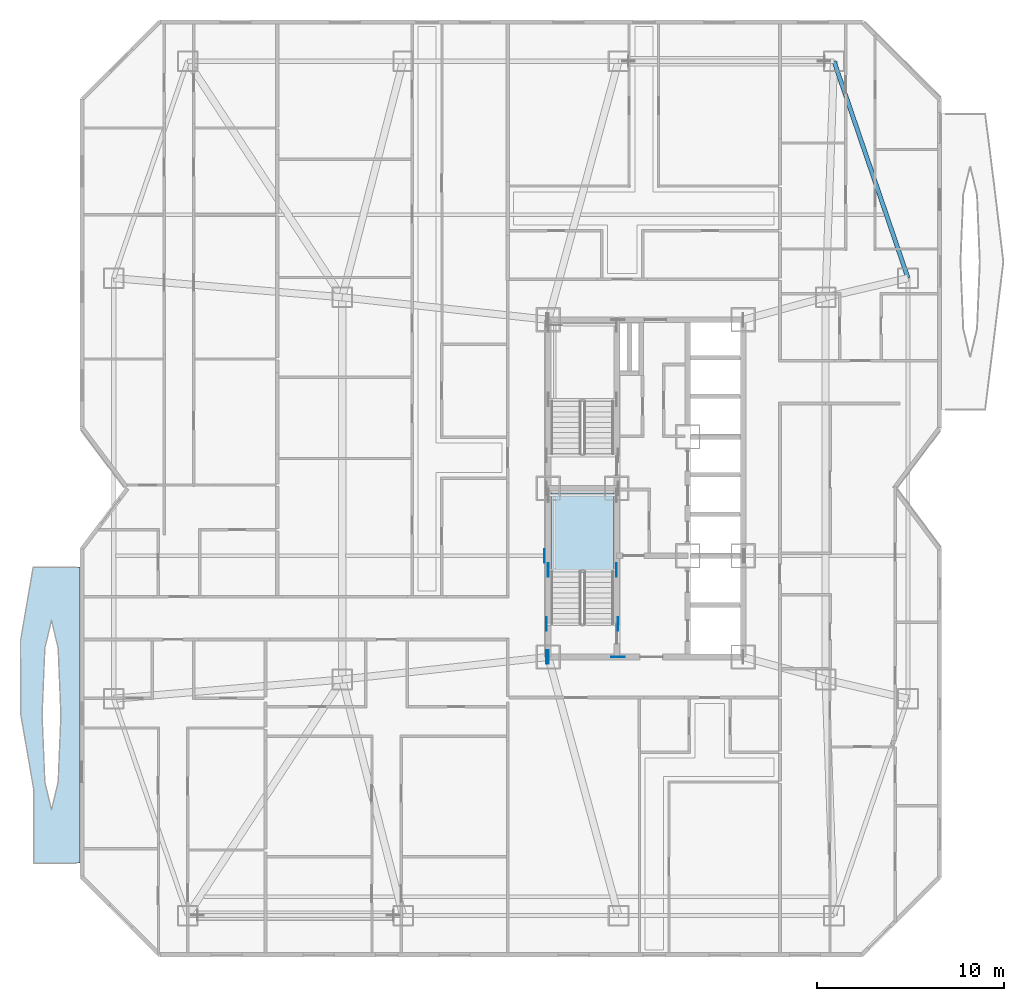
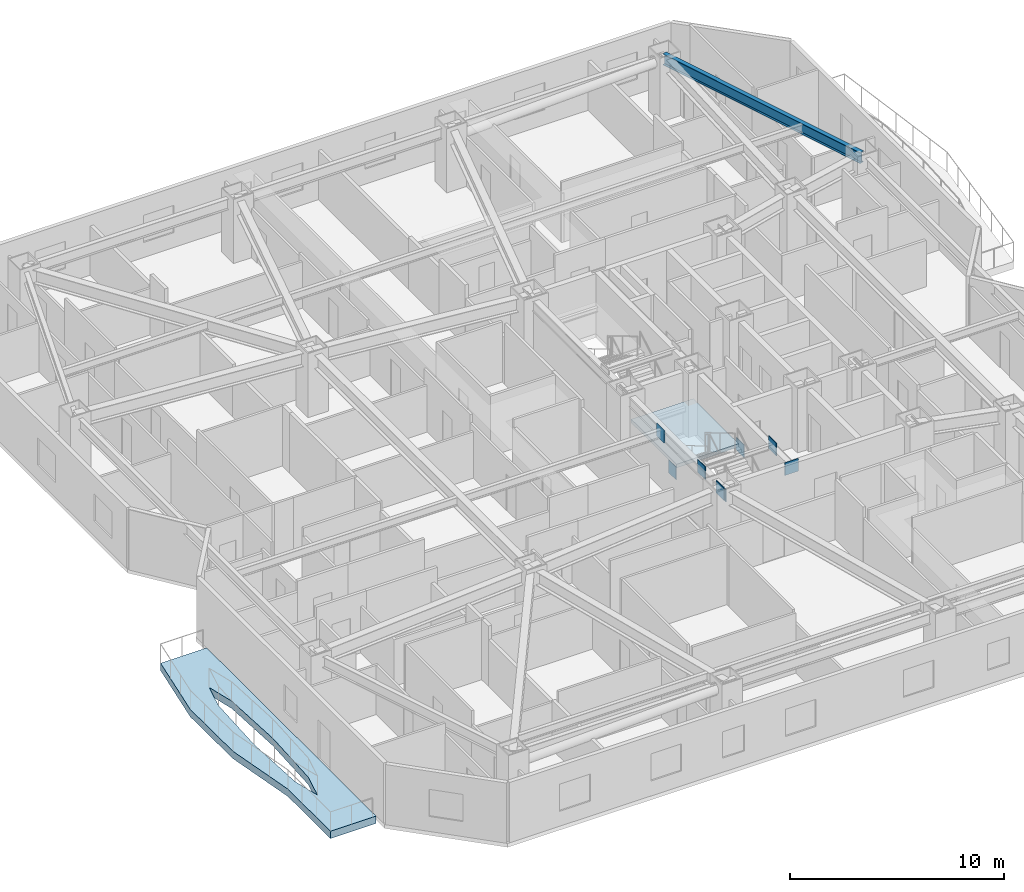
# One storey, part 2 of 17: 8 plates, 2 slabs, 1 beam, 1 element without a shape of its own.
"""IFC4 building model written with IfcOpenShell, lengths in metres."""

from ifc_helpers import new_model, si_unit, direction, frame, origin, origin_2d, place, context, subcontext, project, spatial, polyline, rectangle, i_section, outline, extrude, material, layer, layer_set, material_profile, profile_set, type_object, element, aggregate, save


model = new_model("IFC4")

# Units and contexts
model_context = context("Model", 3, precision=1e-05, world=origin(), true_north=direction((0.0, 1.0)))
body_context = subcontext(model_context, "Body", "Model", "MODEL_VIEW")
ifc_project = project(units=[si_unit("LENGTHUNIT", "METRE"), si_unit("AREAUNIT", "SQUARE_METRE"), si_unit("VOLUMEUNIT", "CUBIC_METRE"), si_unit("PLANEANGLEUNIT", "RADIAN"), si_unit("MASSUNIT", "GRAM", prefix="KILO")], contexts=[model_context])

# Site, building, storey
site_placement = place(None, origin())
site = spatial("IfcSite", under=ifc_project, at=site_placement, CompositionType="ELEMENT")
building_placement = place(site_placement, origin())
building = spatial("IfcBuilding", under=site, at=building_placement, Name="Khamvora Tower", CompositionType="ELEMENT")
storey_placement = place(building_placement, frame((0.0, 0.0, 44.25)))
storey = spatial("IfcBuildingStorey", under=building, at=storey_placement, Name="L10", CompositionType="ELEMENT", Elevation=44.25)

# Beam
ifc_material_1 = material(Name="Steel S355", Category="steel")
ifc_material_profile = material_profile(ifc_material_1, i_section(OverallWidth=0.22998046875, OverallDepth=0.616943359375, WebThickness=0.012939453125, FlangeThickness=0.02197265625, FilletRadius=0.013916015625, at=origin_2d()), Name="W610x140")
ifc_profile_set = profile_set([ifc_material_profile], Name="Steel S355")
beam_type = type_object("IfcBeamType", Name="BM-SP-W610x140", PredefinedType="SPANDREL", material=ifc_profile_set)
beam_placement = place(storey_placement, frame((48.199951171875, 39.22509765625, 3.12109375), z_axis=(-0.322962893199, 0.946411628002, 0.0), x_axis=(-0.946411628002, -0.322962893199, 0.0)))
element("IfcBeam", 1, at=beam_placement, inside=storey, type_object=beam_type, Name="L10 perimeter spandrel beam E2-N4", PredefinedType="SPANDREL", context=body_context, shape_type="SweptSolid", body=[
    extrude(i_section(OverallWidth=0.22998046875, OverallDepth=0.616943359375, WebThickness=0.012939453125, FlangeThickness=0.02197265625, FilletRadius=0.013916015625, at=origin_2d()), origin(), (0.0, 0.0, 1.0), 12.23046875),
])

# Plates
ifc_material_2 = material(Name="Steel S460", Category="steel")
ifc_layer_1 = layer(ifc_material_2, 0.034912109375)
ifc_layer_set_1 = layer_set([ifc_layer_1], Name="Steel S460")
plate_type = type_object("IfcPlateType", Name="PL-EMB-35", PredefinedType="SHEET", material=ifc_layer_set_1)
for number, where, z_axis, x_axis, name in (
    (2, (29.0, 23.635009765625, 1.1337890625), (0.0, 0.0, 1.0), (1.0, 0.0, 0.0), "L10 core shear wall cast-in embed plate 0310"),
    (3, (32.64990234375, 23.635009765625, 1.1337890625), (0.0, 0.0, 1.0), (1.0, 0.0, 0.0), "L10 core shear wall cast-in embed plate 0311"),
    (4, (29.0, 19.0, 2.68408203125), (0.0, 0.0, 1.0), (1.0, 0.0, 0.0), "L10 core shear wall cast-in embed plate 0319"),
    (5, (28.89990234375, 19.0, 2.80322265625), (0.0, 0.0, 1.0), (1.0, 0.0, 0.0), "L10 core shear wall cast-in embed plate 0323"),
):
    element("IfcPlate", number, at=place(storey_placement, frame(where, z_axis=z_axis, x_axis=x_axis)), inside=storey, type_object=plate_type, Name=name, PredefinedType="SHEET", context=body_context, shape_type="SweptSolid", body=[
        extrude(rectangle(XDim=0.034912109375, YDim=0.719970703125, at=origin_2d()), origin(), (0.0, 0.0, 1.0), 0.719970703125),
    ])
plate_placement = place(storey_placement, frame((32.72998046875, 19.0, 2.80322265625), z_axis=(0.0, 0.0, 1.0), x_axis=(1.0, 0.0, 0.0)))
element("IfcPlate", 6, at=plate_placement, inside=storey, type_object=plate_type, Name="L10 core shear wall cast-in embed plate 0326", PredefinedType="SHEET", context=body_context, shape_type="SweptSolid", body=[
    extrude(rectangle(XDim=0.719970703125, YDim=0.034912109375, at=origin_2d()), origin(), (0.0, 0.0, 1.0), 0.719970703125),
])
for number, where, z_axis, x_axis, name in (
    (7, (28.89990234375, 20.75, 2.94384765625), (0.0, 0.0, 1.0), (1.0, 0.0, 0.0), "L10 core shear wall cast-in embed plate 0332"),
    (8, (32.72998046875, 20.75, 2.94384765625), (0.0, 0.0, 1.0), (1.0, 0.0, 0.0), "L10 core shear wall cast-in embed plate 0333"),
    (9, (28.800048828125, 24.39990234375, 2.8388671875), (0.0, 0.0, 1.0), (1.0, 0.0, 0.0), "L10 core shear wall cast-in embed plate 0336"),
):
    element("IfcPlate", number, at=place(storey_placement, frame(where, z_axis=z_axis, x_axis=x_axis)), inside=storey, type_object=plate_type, Name=name, PredefinedType="SHEET", context=body_context, shape_type="SweptSolid", body=[
        extrude(rectangle(XDim=0.034912109375, YDim=0.719970703125, at=origin_2d()), origin(), (0.0, 0.0, 1.0), 0.719970703125),
    ])

# Slab
ifc_material_3 = material(Name="Concrete C40/50", Category="concrete")
ifc_layer_2 = layer(ifc_material_3, 0.419921875)
ifc_layer_set_2 = layer_set([ifc_layer_2], Name="Concrete C40/50")
slab_type_1 = type_object("IfcSlabType", Name="SLB-GRD-420", PredefinedType="FLOOR", material=ifc_layer_set_2)
slab_1_placement = place(storey_placement, frame((0.0, 0.0, -0.419921875)))
element("IfcSlab", 10, at=slab_1_placement, inside=storey, type_object=slab_type_1, Name="L10 external lens gallery slab WL1", PredefinedType="FLOOR", context=body_context, shape_type="SweptSolid", body=[
    extrude(outline(polyline([(4.0, 8.0), (4.0, 23.800048828125), (1.509033203125, 23.800048828125), (0.827880859375, 19.85009765625), (0.85107421875, 15.89990234375), (1.533935546875, 11.949951171875), (1.537109375, 8.0), (4.0, 8.0)]), holes=[polyline([(2.989013671875, 15.89990234375), (2.841064453125, 19.47509765625), (2.485107421875, 20.9560546875), (2.12890625, 19.47509765625), (1.98095703125, 15.89990234375), (2.12890625, 12.324951171875), (2.485107421875, 10.843994140625), (2.841064453125, 12.324951171875), (2.989013671875, 15.89990234375)])]), origin(), (0.0, 0.0, 1.0), 0.419921875),
])

# Stair, slab
stair_type = type_object("IfcStairType", Name="STR-ST-01", PredefinedType="HALF_TURN_STAIR", material=ifc_material_3)
stair_placement = place(storey_placement, origin())
stair = element("IfcStair", 11, at=stair_placement, inside=storey, type_object=stair_type, Name="L10 South Tower Exit Stair ST-01", PredefinedType="HALF_TURN_STAIR")
ifc_layer_3 = layer(ifc_material_3, 0.199951171875)
ifc_layer_set_3 = layer_set([ifc_layer_3], Name="Concrete C40/50")
slab_type_2 = type_object("IfcSlabType", Name="SLB-LND-200", PredefinedType="LANDING", material=ifc_layer_set_3)
slab_2_placement = place(storey_placement, frame((0.0, 0.0, 1.625)))
slab_2 = element("IfcSlab", 12, at=slab_2_placement, type_object=slab_type_2, Name="ST-01 landing 1", PredefinedType="LANDING", context=body_context, shape_type="SweptSolid", body=[
    extrude(outline(polyline([(32.5, 23.514892578125), (32.5, 27.75), (29.14990234375, 27.75), (29.14990234375, 23.514892578125), (32.5, 23.514892578125)])), origin(), (0.0, 0.0, 1.0), 0.199951171875),
])
aggregate(stair, [slab_2])

save(model, "model.ifc")
